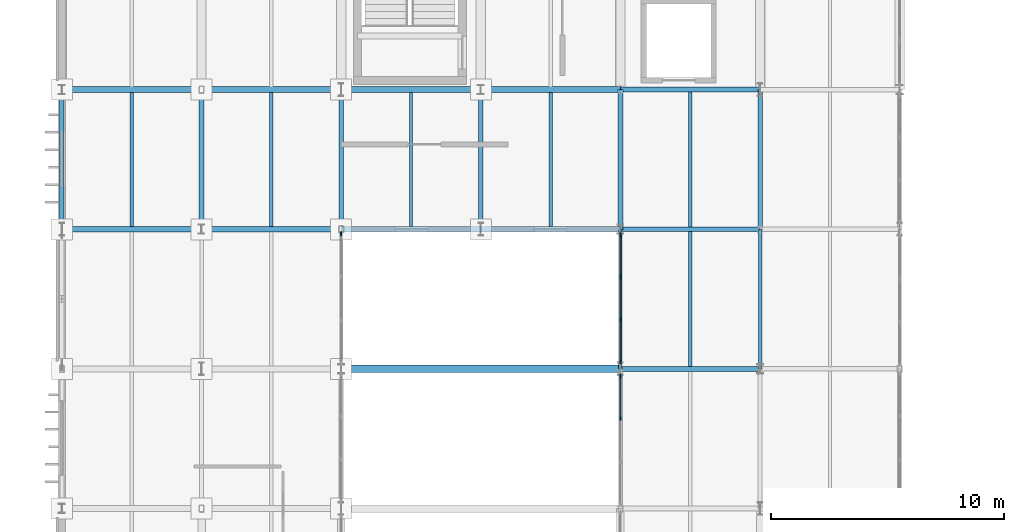
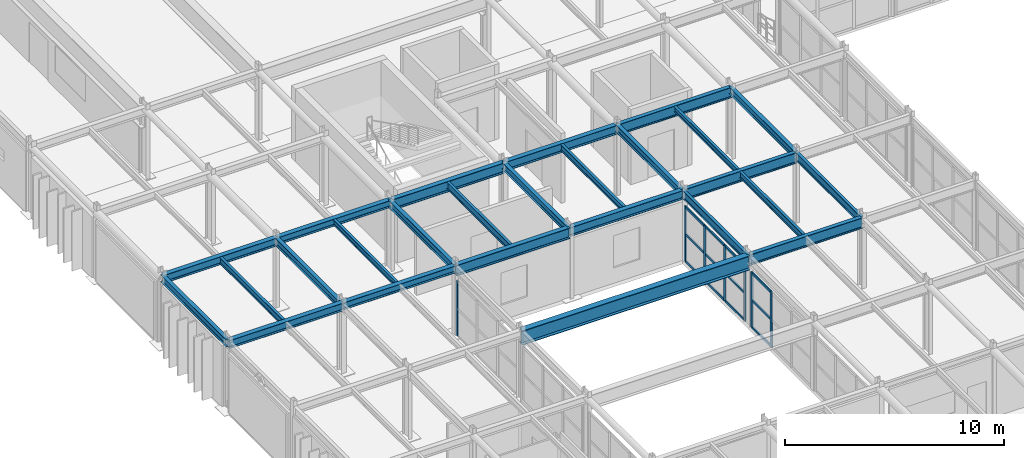
# One storey, part 38 of 116: 26 beams, 19 members, 3 elements without a shape of their own.
"""IFC4 building model written with IfcOpenShell, lengths in metres."""

import ifcopenshell
import ifcopenshell.guid

model = None  # the IFC model being written
_history = None  # IfcOwnerHistory: only IFC2X3 demands one
_inside = {}  # id of a spatial element -> (the spatial element, [elements in it])
_under = {}  # id of a project, library or spatial element -> (it, [spatial elements below it])
_declared = {}  # id of a project -> (the project, [libraries it declares])
_typed = {}  # id of a type object -> (the type object, [elements of that type])
_made_of = {}  # id of a material, layer set ... -> (it, [elements and type objects made of it])


def new_model(schema):
    """Start an empty IFC model of exactly this schema.

    Asked for "IFC4X3", IfcOpenShell would pick the latest addendum, in which some entities
    have other attributes; the version numbers below select the first issue.
    IFC2X3 requires an IfcOwnerHistory on every rooted entity: one is made here for all.
    """
    global model, _history
    if schema == "IFC4X3":
        model = ifcopenshell.file(schema_version=(4, 3, 0, 0))
    else:
        model = ifcopenshell.file(schema=schema)
    _inside.clear()
    _under.clear()
    _declared.clear()
    _typed.clear()
    _made_of.clear()
    _history = None
    if model.schema == "IFC2X3":
        org = make("IfcOrganization", Name="unknown")
        user = make(
            "IfcPersonAndOrganization",
            ThePerson=make("IfcPerson", FamilyName="unknown"),
            TheOrganization=org,
        )
        app = make(
            "IfcApplication",
            ApplicationDeveloper=org,
            Version="unknown",
            ApplicationFullName="unknown",
            ApplicationIdentifier="unknown",
        )
        _history = make(
            "IfcOwnerHistory",
            OwningUser=user,
            OwningApplication=app,
            ChangeAction="ADDED",
            CreationDate=0,
        )
    return model


def make(cls, **values):
    """One entity of the class cls with the attributes given. An attribute that is None is left unset."""
    return model.create_entity(
        cls, **{name: value for name, value in values.items() if value is not None}
    )


def rooted(cls, **values):
    """An entity with a GlobalId (a new one), such as an element, a storey or a relation."""
    return make(cls, GlobalId=ifcopenshell.guid.new(), OwnerHistory=_history, **values)


def si_unit(unit_type, name, prefix=None):
    """IfcSIUnit, for example si_unit("LENGTHUNIT", "METRE", prefix="MILLI")."""
    return make("IfcSIUnit", UnitType=unit_type, Prefix=prefix, Name=name)


def assignment(units):
    """IfcUnitAssignment: the units of a project."""
    return None if units is None else make("IfcUnitAssignment", Units=units)


def point(xyz):
    """IfcCartesianPoint."""
    return None if xyz is None else make("IfcCartesianPoint", Coordinates=xyz)


def direction(xyz):
    """IfcDirection."""
    return None if xyz is None else make("IfcDirection", DirectionRatios=xyz)


def frame(location, z_axis=None, x_axis=None):
    """IfcAxis2Placement3D, a coordinate frame: its origin and axes. An axis left out is left unset."""
    return make(
        "IfcAxis2Placement3D",
        Location=point(location),
        Axis=direction(z_axis),
        RefDirection=direction(x_axis),
    )


def frame_2d(location, x_axis=None):
    """IfcAxis2Placement2D, a coordinate frame in the plane: its origin and x axis."""
    return make(
        "IfcAxis2Placement2D", Location=point(location), RefDirection=direction(x_axis)
    )


def origin():
    """The frame at (0, 0, 0) with its axes left unset."""
    return frame((0.0, 0.0, 0.0))


def origin_2d():
    """The frame at (0, 0) in the plane with its x axis left unset."""
    return frame_2d((0.0, 0.0))


def place(relative_to, where):
    """IfcLocalPlacement: puts the frame where relative to a parent placement (None: the world)."""
    return make(
        "IfcLocalPlacement", PlacementRelTo=relative_to, RelativePlacement=where
    )


def context(
    kind, dimensions, precision=None, world=None, true_north=None, identifier=None
):
    """IfcGeometricRepresentationContext, for example the 3D "Model" context."""
    return make(
        "IfcGeometricRepresentationContext",
        ContextIdentifier=identifier,
        ContextType=kind,
        CoordinateSpaceDimension=dimensions,
        Precision=precision,
        WorldCoordinateSystem=world,
        TrueNorth=true_north,
    )


def subcontext(parent, identifier, kind, view, scale=None):
    """IfcGeometricRepresentationSubContext, for example "Body" below "Model"."""
    return make(
        "IfcGeometricRepresentationSubContext",
        ContextIdentifier=identifier,
        ContextType=kind,
        ParentContext=parent,
        TargetScale=scale,
        TargetView=view,
    )


def project(units=None, contexts=None):
    """IfcProject with its units and contexts."""
    return rooted(
        "IfcProject",
        Name="project",
        RepresentationContexts=contexts,
        UnitsInContext=assignment(units),
    )


def spatial(cls, under=None, at=None, **own):
    """A site, building, storey or space (cls), placed at a placement, below another one or the project."""
    s = rooted(cls, ObjectPlacement=at, **own)
    if under is not None:
        _under.setdefault(under.id(), (under, []))[1].append(s)
    return s


def profile(cls, at=None, kind="AREA", **sizes):
    """A parametric profile (cls). Its sizes go by their IFC names, for example OverallWidth=200.0."""
    return make(cls, ProfileType=kind, Position=at, **sizes)


def rectangle(**sizes):
    """IfcRectangleProfileDef."""
    return profile("IfcRectangleProfileDef", **sizes)


def i_section(**sizes):
    """IfcIShapeProfileDef."""
    return profile("IfcIShapeProfileDef", **sizes)


def extrude(swept, where, along, depth):
    """IfcExtrudedAreaSolid: the profile swept, set in the frame where, extruded along a direction by depth."""
    return make(
        "IfcExtrudedAreaSolid",
        SweptArea=swept,
        Position=where,
        ExtrudedDirection=direction(along),
        Depth=depth,
    )


def shape(context_of_items, identifier, shape_type, items):
    """IfcShapeRepresentation: the items that make up one representation, for example the "Body"."""
    return make(
        "IfcShapeRepresentation",
        ContextOfItems=context_of_items,
        RepresentationIdentifier=identifier,
        RepresentationType=shape_type,
        Items=items,
    )


def material(Name=None, Category=None):
    """IfcMaterial."""
    return make("IfcMaterial", Name=Name, Category=Category)


def material_profile(
    of_material, cross_section, Name=None, Category=None, Priority=None
):
    """IfcMaterialProfile: a cross section and its material."""
    return make(
        "IfcMaterialProfile",
        Name=Name,
        Material=of_material,
        Profile=cross_section,
        Priority=Priority,
        Category=Category,
    )


def profile_set(profiles, Name=None, composite=None):
    """IfcMaterialProfileSet."""
    return make(
        "IfcMaterialProfileSet",
        Name=Name,
        MaterialProfiles=profiles,
        CompositeProfile=composite,
    )


def made_of(thing, what):
    """Note that an element or type object is made of a material, layer set ...; save() writes the relation."""
    if what is not None:
        _made_of.setdefault(what.id(), (what, []))[1].append(thing)
    return thing


def type_object(cls, material=None, **own):
    """A type object (cls), such as IfcWallType, which elements share."""
    return made_of(rooted(cls, **own), material)


def element(
    cls,
    number,
    at=None,
    inside=None,
    cuts=None,
    type_object=None,
    material=None,
    context=None,
    identifier="Body",
    shape_type=None,
    held_by="IfcProductDefinitionShape",
    body=None,
    shapes=None,
    **own,
):
    """One element of the class cls, such as IfcWall. Its Tag is "e" and its number.

    at: its placement. inside: the storey or other place that contains it. cuts: it is an
    opening in that element (IfcRelVoidsElement). A single representation is given by context,
    identifier, shape_type and body (its items); several are given by shapes. held_by: the class
    of the entity that holds the representations. save() writes the other relations.
    """
    e = rooted(cls, Tag="e%d" % number, ObjectPlacement=at, **own)
    if body is not None:
        shapes = [shape(context, identifier, shape_type, body)]
    if shapes is not None:
        e.Representation = make(held_by, Representations=shapes)
    if inside is not None:
        _inside.setdefault(inside.id(), (inside, []))[1].append(e)
    if cuts is not None:
        rooted(
            "IfcRelVoidsElement", RelatingBuildingElement=cuts, RelatedOpeningElement=e
        )
    if type_object is not None:
        _typed.setdefault(type_object.id(), (type_object, []))[1].append(e)
    return made_of(e, material)


def aggregate(whole, parts):
    """IfcRelAggregates: a whole, such as a stair, and the parts it consists of."""
    return rooted("IfcRelAggregates", RelatingObject=whole, RelatedObjects=parts)


def save(model, path):
    """Write the relations noted so far, then the file.

    IfcRelAggregates (storeys below a building ...), IfcRelContainedInSpatialStructure (elements
    in a storey), IfcRelDefinesByType, IfcRelAssociatesMaterial and IfcRelDeclares: one each for
    every whole, place, type object, material and project.
    """
    for whole, parts in _under.values():
        aggregate(whole, parts)
    for where, things in _inside.values():
        rooted(
            "IfcRelContainedInSpatialStructure",
            RelatedElements=things,
            RelatingStructure=where,
        )
    for kind, things in _typed.values():
        rooted("IfcRelDefinesByType", RelatedObjects=things, RelatingType=kind)
    for what, things in _made_of.values():
        rooted("IfcRelAssociatesMaterial", RelatedObjects=things, RelatingMaterial=what)
    for by, libraries in _declared.values():
        rooted("IfcRelDeclares", RelatingContext=by, RelatedDefinitions=libraries)
    model.write(path)


model = new_model("IFC4")

# Units and contexts
model_context = context("Model", 3, precision=1e-05, world=origin(), true_north=direction((0.0, 1.0)))
body_context = subcontext(model_context, "Body", "Model", "MODEL_VIEW")
ifc_project = project(units=[si_unit("LENGTHUNIT", "METRE"), si_unit("AREAUNIT", "SQUARE_METRE"), si_unit("VOLUMEUNIT", "CUBIC_METRE"), si_unit("PLANEANGLEUNIT", "RADIAN"), si_unit("MASSUNIT", "GRAM", prefix="KILO")], contexts=[model_context])

# Site, building, storey
site_placement = place(None, origin())
site = spatial("IfcSite", under=ifc_project, at=site_placement, CompositionType="ELEMENT")
building_placement = place(site_placement, origin())
building = spatial("IfcBuilding", under=site, at=building_placement, Name="Varnakota Square Police Headquarters", CompositionType="ELEMENT")
storey_placement = place(building_placement, frame((0.0, 0.0, 9.300048828125)))
storey = spatial("IfcBuildingStorey", under=building, at=storey_placement, Name="L02", CompositionType="ELEMENT", Elevation=9.300048828125)

# Beams
ifc_material_1 = material(Name="Steel IS 2062 Grade 350", Category="steel")
ifc_material_profile_1 = material_profile(ifc_material_1, i_section(OverallWidth=0.320068359375, OverallDepth=0.800048828125, WebThickness=0.01611328125, FlangeThickness=0.028076171875, at=origin_2d()), Name="BPG 800x320")
ifc_profile_set_1 = profile_set([ifc_material_profile_1], Name="Steel IS 2062 Grade 350")
beam_type_1 = type_object("IfcBeamType", Name="BM-BPG800", PredefinedType="BEAM", material=ifc_profile_set_1)
beam_1_placement = place(storey_placement, frame((18.0, 51.0, 3.5), z_axis=(1.0, 0.0, 0.0), x_axis=(0.0, 1.0, 0.0)))
element("IfcBeam", 1, at=beam_1_placement, inside=storey, type_object=beam_type_1, Name="BMG-L02-1991", PredefinedType="BEAM", context=body_context, shape_type="SweptSolid", body=[
    extrude(i_section(OverallWidth=0.320068359375, OverallDepth=0.800048828125, WebThickness=0.01611328125, FlangeThickness=0.028076171875, at=origin_2d()), origin(), (0.0, 0.0, 1.0), 12.0),
])
ifc_material_profile_2 = material_profile(ifc_material_1, i_section(OverallWidth=0.25, OverallDepth=0.39990234375, WebThickness=0.010498046875, FlangeThickness=0.0126953125, FilletRadius=0.013916015625, at=origin_2d()), Name="ISHB 400")
ifc_profile_set_2 = profile_set([ifc_material_profile_2], Name="Steel IS 2062 Grade 350")
beam_type_2 = type_object("IfcBeamType", Name="BM-ISHB400", PredefinedType="BEAM", material=ifc_profile_set_2)
for number, where, z_axis, x_axis, name in (
    (2, (12.0, 57.0, 3.699951171875), (1.0, 0.0, 0.0), (0.0, 1.0, 0.0), "BMG-L02-1995"),
    (3, (12.0, 63.0, 3.699951171875), (1.0, 0.0, 0.0), (0.0, 1.0, 0.0), "BMG-L02-2001"),
):
    element("IfcBeam", number, at=place(storey_placement, frame(where, z_axis=z_axis, x_axis=x_axis)), inside=storey, type_object=beam_type_2, Name=name, PredefinedType="BEAM", context=body_context, shape_type="SweptSolid", body=[
        extrude(i_section(OverallWidth=0.25, OverallDepth=0.39990234375, WebThickness=0.010498046875, FlangeThickness=0.0126953125, FilletRadius=0.013916015625, at=origin_2d()), origin(), (0.0, 0.0, 1.0), 6.0),
    ])
ifc_material_profile_3 = material_profile(ifc_material_1, i_section(OverallWidth=0.25, OverallDepth=0.449951171875, WebThickness=0.01123046875, FlangeThickness=0.013671875, FilletRadius=0.014892578125, at=origin_2d()), Name="ISHB 450")
ifc_profile_set_3 = profile_set([ifc_material_profile_3], Name="Steel IS 2062 Grade 350")
beam_type_3 = type_object("IfcBeamType", Name="BM-ISHB450", PredefinedType="BEAM", material=ifc_profile_set_3)
for number, where, z_axis, x_axis, name in (
    (4, (6.0, 57.0, 3.675048828125), (1.0, 0.0, 0.0), (0.0, 1.0, 0.0), "BMG-L02-1994"),
    (5, (6.0, 63.0, 3.675048828125), (1.0, 0.0, 0.0), (0.0, 1.0, 0.0), "BMG-L02-2000"),
):
    element("IfcBeam", number, at=place(storey_placement, frame(where, z_axis=z_axis, x_axis=x_axis)), inside=storey, type_object=beam_type_3, Name=name, PredefinedType="BEAM", context=body_context, shape_type="SweptSolid", body=[
        extrude(i_section(OverallWidth=0.25, OverallDepth=0.449951171875, WebThickness=0.01123046875, FlangeThickness=0.013671875, FilletRadius=0.014892578125, at=origin_2d()), origin(), (0.0, 0.0, 1.0), 6.0),
    ])
ifc_material_profile_4 = material_profile(ifc_material_1, i_section(OverallWidth=0.139892578125, OverallDepth=0.300048828125, WebThickness=0.0078125, FlangeThickness=0.01318359375, FilletRadius=0.013916015625, at=origin_2d()), Name="ISMB 300")
ifc_profile_set_4 = profile_set([ifc_material_profile_4], Name="Steel IS 2062 Grade 350")
beam_type_4 = type_object("IfcBeamType", Name="BM-ISMB300", PredefinedType="JOIST", material=ifc_profile_set_4)
beam_2_placement = place(storey_placement, frame((15.0, 57.123046875, 3.75), z_axis=(0.0, 1.0, 0.0), x_axis=(-1.0, 0.0, 0.0)))
element("IfcBeam", 6, at=beam_2_placement, inside=storey, type_object=beam_type_4, Name="BMG-L02-2327", PredefinedType="JOIST", context=body_context, shape_type="SweptSolid", body=[
    extrude(i_section(OverallWidth=0.139892578125, OverallDepth=0.300048828125, WebThickness=0.0078125, FlangeThickness=0.01318359375, FilletRadius=0.013916015625, at=origin_2d()), origin(), (0.0, 0.0, 1.0), 5.75390625),
])
beam_3_placement = place(storey_placement, frame((33.0, 57.10302734375, 3.75), z_axis=(0.0, 1.0, 0.0), x_axis=(-1.0, 0.0, 0.0)))
element("IfcBeam", 7, at=beam_3_placement, inside=storey, type_object=beam_type_4, Name="BMG-L02-2354", PredefinedType="JOIST", context=body_context, shape_type="SweptSolid", body=[
    extrude(i_section(OverallWidth=0.139892578125, OverallDepth=0.300048828125, WebThickness=0.0078125, FlangeThickness=0.01318359375, FilletRadius=0.013916015625, at=origin_2d()), origin(), (0.0, 0.0, 1.0), 5.7939453125),
])
ifc_material_profile_5 = material_profile(ifc_material_1, i_section(OverallWidth=0.139892578125, OverallDepth=0.35009765625, WebThickness=0.008056640625, FlangeThickness=0.01416015625, FilletRadius=0.013916015625, at=origin_2d()), Name="ISMB 350")
ifc_profile_set_5 = profile_set([ifc_material_profile_5], Name="Steel IS 2062 Grade 350")
beam_type_5 = type_object("IfcBeamType", Name="BM-ISMB350", PredefinedType="JOIST", material=ifc_profile_set_5)
for number, where, z_axis, x_axis, name in (
    (8, (9.0, 57.123046875, 3.724853515625), (0.0, 1.0, 0.0), (-1.0, 0.0, 0.0), "BMG-L02-2316"),
    (9, (27.0, 57.123046875, 3.724853515625), (0.0, 1.0, 0.0), (-1.0, 0.0, 0.0), "BMG-L02-2343"),
):
    element("IfcBeam", number, at=place(storey_placement, frame(where, z_axis=z_axis, x_axis=x_axis)), inside=storey, type_object=beam_type_5, Name=name, PredefinedType="JOIST", context=body_context, shape_type="SweptSolid", body=[
        extrude(i_section(OverallWidth=0.139892578125, OverallDepth=0.35009765625, WebThickness=0.008056640625, FlangeThickness=0.01416015625, FilletRadius=0.013916015625, at=origin_2d()), origin(), (0.0, 0.0, 1.0), 5.75390625),
    ])
beam_4_placement = place(storey_placement, frame((33.0, 51.10302734375, 3.724853515625), z_axis=(0.0, 1.0, 0.0), x_axis=(-1.0, 0.0, 0.0)))
element("IfcBeam", 10, at=beam_4_placement, inside=storey, type_object=beam_type_5, Name="BMG-L02-2353", PredefinedType="JOIST", context=body_context, shape_type="SweptSolid", body=[
    extrude(i_section(OverallWidth=0.139892578125, OverallDepth=0.35009765625, WebThickness=0.008056640625, FlangeThickness=0.01416015625, FilletRadius=0.013916015625, at=origin_2d()), origin(), (0.0, 0.0, 1.0), 5.7939453125),
])
ifc_material_profile_6 = material_profile(ifc_material_1, i_section(OverallWidth=0.139892578125, OverallDepth=0.39990234375, WebThickness=0.0087890625, FlangeThickness=0.01611328125, FilletRadius=0.013916015625, at=origin_2d()), Name="ISMB 400")
ifc_profile_set_6 = profile_set([ifc_material_profile_6], Name="Steel IS 2062 Grade 350")
beam_type_6 = type_object("IfcBeamType", Name="BM-ISMB400", PredefinedType="JOIST", material=ifc_profile_set_6)
beam_5_placement = place(storey_placement, frame((21.0, 57.123046875, 3.699951171875), z_axis=(0.0, 1.0, 0.0), x_axis=(-1.0, 0.0, 0.0)))
element("IfcBeam", 11, at=beam_5_placement, inside=storey, type_object=beam_type_6, Name="BMG-L02-2336", PredefinedType="JOIST", context=body_context, shape_type="SweptSolid", body=[
    extrude(i_section(OverallWidth=0.139892578125, OverallDepth=0.39990234375, WebThickness=0.0087890625, FlangeThickness=0.01611328125, FilletRadius=0.013916015625, at=origin_2d()), origin(), (0.0, 0.0, 1.0), 5.75390625),
])
ifc_material_profile_7 = material_profile(ifc_material_1, i_section(OverallWidth=0.14990234375, OverallDepth=0.449951171875, WebThickness=0.009521484375, FlangeThickness=0.017333984375, FilletRadius=0.014892578125, at=origin_2d()), Name="ISMB 450")
ifc_profile_set_7 = profile_set([ifc_material_profile_7], Name="Steel IS 2062 Grade 350")
beam_type_7 = type_object("IfcBeamType", Name="BM-ISMB450", PredefinedType="BEAM", material=ifc_profile_set_7)
for number, where, z_axis, x_axis, name in (
    (12, (30.0, 51.0, 3.675048828125), (0.0, 1.0, 0.0), (-1.0, 0.0, 0.0), "BMG-L02-2162"),
    (13, (36.0, 51.0, 3.675048828125), (0.0, 1.0, 0.0), (-1.0, 0.0, 0.0), "BMG-L02-2176"),
):
    element("IfcBeam", number, at=place(storey_placement, frame(where, z_axis=z_axis, x_axis=x_axis)), inside=storey, type_object=beam_type_7, Name=name, PredefinedType="BEAM", context=body_context, shape_type="SweptSolid", body=[
        extrude(i_section(OverallWidth=0.14990234375, OverallDepth=0.449951171875, WebThickness=0.009521484375, FlangeThickness=0.017333984375, FilletRadius=0.014892578125, at=origin_2d()), origin(), (0.0, 0.0, 1.0), 6.0),
    ])
ifc_material_profile_8 = material_profile(ifc_material_1, i_section(OverallWidth=0.2099609375, OverallDepth=0.60009765625, WebThickness=0.011962890625, FlangeThickness=0.020751953125, FilletRadius=0.02001953125, at=origin_2d()), Name="ISMB 600")
ifc_profile_set_8 = profile_set([ifc_material_profile_8], Name="Steel IS 2062 Grade 350")
beam_type_8 = type_object("IfcBeamType", Name="BM-ISMB600", PredefinedType="BEAM", material=ifc_profile_set_8)
for number, where, z_axis, x_axis, name in (
    (14, (30.0, 51.0, 3.599853515625), (1.0, 0.0, 0.0), (0.0, 1.0, 0.0), "BMG-L02-1992"),
    (15, (30.0, 57.0, 3.599853515625), (1.0, 0.0, 0.0), (0.0, 1.0, 0.0), "BMG-L02-1998"),
    (16, (30.0, 63.0, 3.599853515625), (1.0, 0.0, 0.0), (0.0, 1.0, 0.0), "BMG-L02-2004"),
):
    element("IfcBeam", number, at=place(storey_placement, frame(where, z_axis=z_axis, x_axis=x_axis)), inside=storey, type_object=beam_type_8, Name=name, PredefinedType="BEAM", context=body_context, shape_type="SweptSolid", body=[
        extrude(i_section(OverallWidth=0.2099609375, OverallDepth=0.60009765625, WebThickness=0.011962890625, FlangeThickness=0.020751953125, FilletRadius=0.02001953125, at=origin_2d()), origin(), (0.0, 0.0, 1.0), 6.0),
    ])
ifc_material_profile_9 = material_profile(ifc_material_1, i_section(OverallWidth=0.199951171875, OverallDepth=0.39990234375, WebThickness=0.008544921875, FlangeThickness=0.012939453125, FilletRadius=0.012939453125, at=origin_2d()), Name="ISWB 400")
ifc_profile_set_9 = profile_set([ifc_material_profile_9], Name="Steel IS 2062 Grade 350")
beam_type_9 = type_object("IfcBeamType", Name="BM-ISWB400", PredefinedType="BEAM", material=ifc_profile_set_9)
for number, where, z_axis, x_axis, name in (
    (17, (6.0, 57.0, 3.699951171875), (0.0, 1.0, 0.0), (-1.0, 0.0, 0.0), "BMG-L02-2110"),
    (18, (12.0, 57.0, 3.699951171875), (0.0, 1.0, 0.0), (-1.0, 0.0, 0.0), "BMG-L02-2127"),
    (19, (18.0, 57.0, 3.699951171875), (0.0, 1.0, 0.0), (-1.0, 0.0, 0.0), "BMG-L02-2141"),
    (20, (24.0, 57.0, 3.699951171875), (0.0, 1.0, 0.0), (-1.0, 0.0, 0.0), "BMG-L02-2152"),
    (21, (30.0, 57.0, 3.699951171875), (0.0, 1.0, 0.0), (-1.0, 0.0, 0.0), "BMG-L02-2163"),
    (22, (36.0, 57.0, 3.699951171875), (0.0, 1.0, 0.0), (-1.0, 0.0, 0.0), "BMG-L02-2177"),
):
    element("IfcBeam", number, at=place(storey_placement, frame(where, z_axis=z_axis, x_axis=x_axis)), inside=storey, type_object=beam_type_9, Name=name, PredefinedType="BEAM", context=body_context, shape_type="SweptSolid", body=[
        extrude(i_section(OverallWidth=0.199951171875, OverallDepth=0.39990234375, WebThickness=0.008544921875, FlangeThickness=0.012939453125, FilletRadius=0.012939453125, at=origin_2d()), origin(), (0.0, 0.0, 1.0), 6.0),
    ])
ifc_material_profile_10 = material_profile(ifc_material_1, i_section(OverallWidth=0.25, OverallDepth=0.5, WebThickness=0.010009765625, FlangeThickness=0.0146484375, FilletRadius=0.014892578125, at=origin_2d()), Name="ISWB 500")
ifc_profile_set_10 = profile_set([ifc_material_profile_10], Name="Steel IS 2062 Grade 350")
beam_type_10 = type_object("IfcBeamType", Name="BM-ISWB500", PredefinedType="BEAM", material=ifc_profile_set_10)
for number, where, z_axis, x_axis, name in (
    (23, (24.0, 57.0, 3.64990234375), (1.0, 0.0, 0.0), (0.0, 1.0, 0.0), "BMG-L02-1997"),
    (24, (24.0, 63.0, 3.64990234375), (1.0, 0.0, 0.0), (0.0, 1.0, 0.0), "BMG-L02-2003"),
):
    element("IfcBeam", number, at=place(storey_placement, frame(where, z_axis=z_axis, x_axis=x_axis)), inside=storey, type_object=beam_type_10, Name=name, PredefinedType="BEAM", context=body_context, shape_type="SweptSolid", body=[
        extrude(i_section(OverallWidth=0.25, OverallDepth=0.5, WebThickness=0.010009765625, FlangeThickness=0.0146484375, FilletRadius=0.014892578125, at=origin_2d()), origin(), (0.0, 0.0, 1.0), 6.0),
    ])
ifc_material_profile_11 = material_profile(ifc_material_1, i_section(OverallWidth=0.25, OverallDepth=0.60009765625, WebThickness=0.01171875, FlangeThickness=0.023681640625, FilletRadius=0.01708984375, at=origin_2d()), Name="ISWB 600")
ifc_profile_set_11 = profile_set([ifc_material_profile_11], Name="Steel IS 2062 Grade 350")
beam_type_11 = type_object("IfcBeamType", Name="BM-ISWB600", PredefinedType="BEAM", material=ifc_profile_set_11)
for number, where, z_axis, x_axis, name in (
    (25, (18.0, 57.0, 3.599853515625), (1.0, 0.0, 0.0), (0.0, 1.0, 0.0), "BMG-L02-1996"),
    (26, (18.0, 63.0, 3.599853515625), (1.0, 0.0, 0.0), (0.0, 1.0, 0.0), "BMG-L02-2002"),
):
    element("IfcBeam", number, at=place(storey_placement, frame(where, z_axis=z_axis, x_axis=x_axis)), inside=storey, type_object=beam_type_11, Name=name, PredefinedType="BEAM", context=body_context, shape_type="SweptSolid", body=[
        extrude(i_section(OverallWidth=0.25, OverallDepth=0.60009765625, WebThickness=0.01171875, FlangeThickness=0.023681640625, FilletRadius=0.01708984375, at=origin_2d()), origin(), (0.0, 0.0, 1.0), 6.0),
    ])

# Curtain wall, members
ifc_material_2 = material(Name="Anodised Aluminium Framing", Category="aluminium")
curtain_wall_type = type_object("IfcCurtainWallType", Name="CW-SYS-F", PredefinedType="NOTDEFINED", material=ifc_material_2)
curtain_wall_1_placement = place(storey_placement, origin())
curtain_wall_1 = element("IfcCurtainWall", 27, at=curtain_wall_1_placement, inside=storey, type_object=curtain_wall_type, Name="Unitised curtain wall CWG-L02-164", PredefinedType="NOTDEFINED")
ifc_material_3 = material(Name="Anodised Aluminium 6063-T6", Category="aluminium")
ifc_material_profile_12 = material_profile(ifc_material_3, rectangle(XDim=0.06494140625, YDim=0.159912109375, at=origin_2d()), Name="ALU MULLION 65x160")
ifc_profile_set_12 = profile_set([ifc_material_profile_12], Name="Anodised Aluminium 6063-T6")
member_type_1 = type_object("IfcMemberType", Name="CWM-150", PredefinedType="MULLION", material=ifc_profile_set_12)
member_1_placement = place(storey_placement, frame((30.0, 48.864990234375, 0.0), z_axis=(0.0, 0.0, 1.0), x_axis=(-1.0, 0.0, 0.0)))
member_1 = element("IfcMember", 28, at=member_1_placement, type_object=member_type_1, Name="CWG-L02-164 mullion 3", PredefinedType="MULLION", context=body_context, shape_type="SweptSolid", body=[
    extrude(rectangle(XDim=0.06494140625, YDim=0.159912109375, at=origin_2d()), origin(), (0.0, 0.0, 1.0), 3.08984375),
])
member_2_placement = place(storey_placement, frame((30.0, 50.6875, 0.0), z_axis=(0.0, 0.0, 1.0), x_axis=(-1.0, 0.0, 0.0)))
member_2 = element("IfcMember", 29, at=member_2_placement, type_object=member_type_1, Name="CWG-L02-164 mullion 4", PredefinedType="MULLION", context=body_context, shape_type="SweptSolid", body=[
    extrude(rectangle(XDim=0.06494140625, YDim=0.159912109375, at=origin_2d()), origin(), (0.0, 0.0, 1.0), 3.08984375),
])

# Curtain wall, member
curtain_wall_2_placement = place(storey_placement, origin())
curtain_wall_2 = element("IfcCurtainWall", 30, at=curtain_wall_2_placement, inside=storey, type_object=curtain_wall_type, Name="Unitised curtain wall CWG-L02-165", PredefinedType="NOTDEFINED")
member_3_placement = place(storey_placement, frame((18.0, 56.8125, 0.0), z_axis=(0.0, 0.0, 1.0), x_axis=(-1.0, 0.0, 0.0)))
member_3 = element("IfcMember", 31, at=member_3_placement, type_object=member_type_1, Name="CWG-L02-165 mullion 4", PredefinedType="MULLION", context=body_context, shape_type="SweptSolid", body=[
    extrude(rectangle(XDim=0.06494140625, YDim=0.159912109375, at=origin_2d()), origin(), (0.0, 0.0, 1.0), 3.08984375),
])
aggregate(curtain_wall_2, [member_3])

# Curtain wall, members
curtain_wall_3_placement = place(storey_placement, origin())
curtain_wall_3 = element("IfcCurtainWall", 32, at=curtain_wall_3_placement, inside=storey, type_object=curtain_wall_type, Name="Unitised curtain wall CWG-L02-166", PredefinedType="NOTDEFINED")
member_4_placement = place(storey_placement, frame((30.0, 51.3125, 0.0), z_axis=(0.0, 0.0, 1.0), x_axis=(-1.0, 0.0, 0.0)))
member_4 = element("IfcMember", 33, at=member_4_placement, type_object=member_type_1, Name="CWG-L02-166 mullion 1", PredefinedType="MULLION", context=body_context, shape_type="SweptSolid", body=[
    extrude(rectangle(XDim=0.06494140625, YDim=0.159912109375, at=origin_2d()), origin(), (0.0, 0.0, 1.0), 3.08984375),
])
member_5_placement = place(storey_placement, frame((30.0, 53.118408203125, 0.0), z_axis=(0.0, 0.0, 1.0), x_axis=(-1.0, 0.0, 0.0)))
member_5 = element("IfcMember", 34, at=member_5_placement, type_object=member_type_1, Name="CWG-L02-166 mullion 2", PredefinedType="MULLION", context=body_context, shape_type="SweptSolid", body=[
    extrude(rectangle(XDim=0.06494140625, YDim=0.159912109375, at=origin_2d()), origin(), (0.0, 0.0, 1.0), 3.08984375),
])
member_6_placement = place(storey_placement, frame((30.0, 54.956787109375, 0.0), z_axis=(0.0, 0.0, 1.0), x_axis=(-1.0, 0.0, 0.0)))
member_6 = element("IfcMember", 35, at=member_6_placement, type_object=member_type_1, Name="CWG-L02-166 mullion 3", PredefinedType="MULLION", context=body_context, shape_type="SweptSolid", body=[
    extrude(rectangle(XDim=0.06494140625, YDim=0.159912109375, at=origin_2d()), origin(), (0.0, 0.0, 1.0), 3.08984375),
])
member_7_placement = place(storey_placement, frame((30.0, 56.762451171875, 0.0), z_axis=(0.0, 0.0, 1.0), x_axis=(-1.0, 0.0, 0.0)))
member_7 = element("IfcMember", 36, at=member_7_placement, type_object=member_type_1, Name="CWG-L02-166 mullion 4", PredefinedType="MULLION", context=body_context, shape_type="SweptSolid", body=[
    extrude(rectangle(XDim=0.06494140625, YDim=0.159912109375, at=origin_2d()), origin(), (0.0, 0.0, 1.0), 3.08984375),
])

# Member
ifc_material_profile_13 = material_profile(ifc_material_3, rectangle(XDim=0.06494140625, YDim=0.1298828125, at=origin_2d()), Name="ALU TRANSOM 65x130")
ifc_profile_set_13 = profile_set([ifc_material_profile_13], Name="Anodised Aluminium 6063-T6")
member_type_2 = type_object("IfcMemberType", Name="CWT-120", PredefinedType="USERDEFINED", material=ifc_profile_set_13)
member_8_placement = place(storey_placement, frame((30.0, 48.8974609375, 0.032470703125), z_axis=(0.0, 1.0, 0.0), x_axis=(-1.0, 0.0, 0.0)))
member_8 = element("IfcMember", 37, at=member_8_placement, type_object=member_type_2, Name="CWG-L02-164 transom 3.1", ObjectType="TRANSOM", PredefinedType="USERDEFINED", context=body_context, shape_type="SweptSolid", body=[
    extrude(rectangle(XDim=0.06494140625, YDim=0.1298828125, at=origin_2d()), origin(), (0.0, 0.0, 1.0), 1.757568359375),
])

member_9_placement = place(storey_placement, frame((30.0, 48.8974609375, 1.544921875), z_axis=(0.0, 1.0, 0.0), x_axis=(-1.0, 0.0, 0.0)))
member_9 = element("IfcMember", 38, at=member_9_placement, type_object=member_type_2, Name="CWG-L02-164 transom 3.2", ObjectType="TRANSOM", PredefinedType="USERDEFINED", context=body_context, shape_type="SweptSolid", body=[
    extrude(rectangle(XDim=0.06494140625, YDim=0.1298828125, at=origin_2d()), origin(), (0.0, 0.0, 1.0), 1.757568359375),
])

member_10_placement = place(storey_placement, frame((30.0, 48.8974609375, 3.057373046875), z_axis=(0.0, 1.0, 0.0), x_axis=(-1.0, 0.0, 0.0)))
member_10 = element("IfcMember", 39, at=member_10_placement, type_object=member_type_2, Name="CWG-L02-164 transom 3.3", ObjectType="TRANSOM", PredefinedType="USERDEFINED", context=body_context, shape_type="SweptSolid", body=[
    extrude(rectangle(XDim=0.06494140625, YDim=0.1298828125, at=origin_2d()), origin(), (0.0, 0.0, 1.0), 1.757568359375),
])

aggregate(curtain_wall_1, [member_1, member_2, member_8, member_9, member_10])

member_11_placement = place(storey_placement, frame((30.0, 51.344970703125, 0.032470703125), z_axis=(0.0, 1.0, 0.0), x_axis=(-1.0, 0.0, 0.0)))
member_11 = element("IfcMember", 40, at=member_11_placement, type_object=member_type_2, Name="CWG-L02-166 transom 1.1", ObjectType="TRANSOM", PredefinedType="USERDEFINED", context=body_context, shape_type="SweptSolid", body=[
    extrude(rectangle(XDim=0.06494140625, YDim=0.1298828125, at=origin_2d()), origin(), (0.0, 0.0, 1.0), 1.740966796875),
])

member_12_placement = place(storey_placement, frame((30.0, 51.344970703125, 1.544921875), z_axis=(0.0, 1.0, 0.0), x_axis=(-1.0, 0.0, 0.0)))
member_12 = element("IfcMember", 41, at=member_12_placement, type_object=member_type_2, Name="CWG-L02-166 transom 1.2", ObjectType="TRANSOM", PredefinedType="USERDEFINED", context=body_context, shape_type="SweptSolid", body=[
    extrude(rectangle(XDim=0.06494140625, YDim=0.1298828125, at=origin_2d()), origin(), (0.0, 0.0, 1.0), 1.740966796875),
])

member_13_placement = place(storey_placement, frame((30.0, 51.344970703125, 3.057373046875), z_axis=(0.0, 1.0, 0.0), x_axis=(-1.0, 0.0, 0.0)))
member_13 = element("IfcMember", 42, at=member_13_placement, type_object=member_type_2, Name="CWG-L02-166 transom 1.3", ObjectType="TRANSOM", PredefinedType="USERDEFINED", context=body_context, shape_type="SweptSolid", body=[
    extrude(rectangle(XDim=0.06494140625, YDim=0.1298828125, at=origin_2d()), origin(), (0.0, 0.0, 1.0), 1.740966796875),
])

member_14_placement = place(storey_placement, frame((30.0, 53.15087890625, 0.032470703125), z_axis=(0.0, 1.0, 0.0), x_axis=(-1.0, 0.0, 0.0)))
member_14 = element("IfcMember", 43, at=member_14_placement, type_object=member_type_2, Name="CWG-L02-166 transom 2.1", ObjectType="TRANSOM", PredefinedType="USERDEFINED", context=body_context, shape_type="SweptSolid", body=[
    extrude(rectangle(XDim=0.06494140625, YDim=0.1298828125, at=origin_2d()), origin(), (0.0, 0.0, 1.0), 1.773193359375),
])

member_15_placement = place(storey_placement, frame((30.0, 53.15087890625, 1.544921875), z_axis=(0.0, 1.0, 0.0), x_axis=(-1.0, 0.0, 0.0)))
member_15 = element("IfcMember", 44, at=member_15_placement, type_object=member_type_2, Name="CWG-L02-166 transom 2.2", ObjectType="TRANSOM", PredefinedType="USERDEFINED", context=body_context, shape_type="SweptSolid", body=[
    extrude(rectangle(XDim=0.06494140625, YDim=0.1298828125, at=origin_2d()), origin(), (0.0, 0.0, 1.0), 1.773193359375),
])

member_16_placement = place(storey_placement, frame((30.0, 53.15087890625, 3.057373046875), z_axis=(0.0, 1.0, 0.0), x_axis=(-1.0, 0.0, 0.0)))
member_16 = element("IfcMember", 45, at=member_16_placement, type_object=member_type_2, Name="CWG-L02-166 transom 2.3", ObjectType="TRANSOM", PredefinedType="USERDEFINED", context=body_context, shape_type="SweptSolid", body=[
    extrude(rectangle(XDim=0.06494140625, YDim=0.1298828125, at=origin_2d()), origin(), (0.0, 0.0, 1.0), 1.773193359375),
])

member_17_placement = place(storey_placement, frame((30.0, 54.9892578125, 0.032470703125), z_axis=(0.0, 1.0, 0.0), x_axis=(-1.0, 0.0, 0.0)))
member_17 = element("IfcMember", 46, at=member_17_placement, type_object=member_type_2, Name="CWG-L02-166 transom 3.1", ObjectType="TRANSOM", PredefinedType="USERDEFINED", context=body_context, shape_type="SweptSolid", body=[
    extrude(rectangle(XDim=0.06494140625, YDim=0.1298828125, at=origin_2d()), origin(), (0.0, 0.0, 1.0), 1.74072265625),
])

member_18_placement = place(storey_placement, frame((30.0, 54.9892578125, 1.544921875), z_axis=(0.0, 1.0, 0.0), x_axis=(-1.0, 0.0, 0.0)))
member_18 = element("IfcMember", 47, at=member_18_placement, type_object=member_type_2, Name="CWG-L02-166 transom 3.2", ObjectType="TRANSOM", PredefinedType="USERDEFINED", context=body_context, shape_type="SweptSolid", body=[
    extrude(rectangle(XDim=0.06494140625, YDim=0.1298828125, at=origin_2d()), origin(), (0.0, 0.0, 1.0), 1.74072265625),
])

member_19_placement = place(storey_placement, frame((30.0, 54.9892578125, 3.057373046875), z_axis=(0.0, 1.0, 0.0), x_axis=(-1.0, 0.0, 0.0)))
member_19 = element("IfcMember", 48, at=member_19_placement, type_object=member_type_2, Name="CWG-L02-166 transom 3.3", ObjectType="TRANSOM", PredefinedType="USERDEFINED", context=body_context, shape_type="SweptSolid", body=[
    extrude(rectangle(XDim=0.06494140625, YDim=0.1298828125, at=origin_2d()), origin(), (0.0, 0.0, 1.0), 1.74072265625),
])

aggregate(curtain_wall_3, [member_4, member_5, member_6, member_7, member_11, member_12, member_13, member_14, member_15, member_16, member_17, member_18, member_19])

save(model, "model.ifc")
